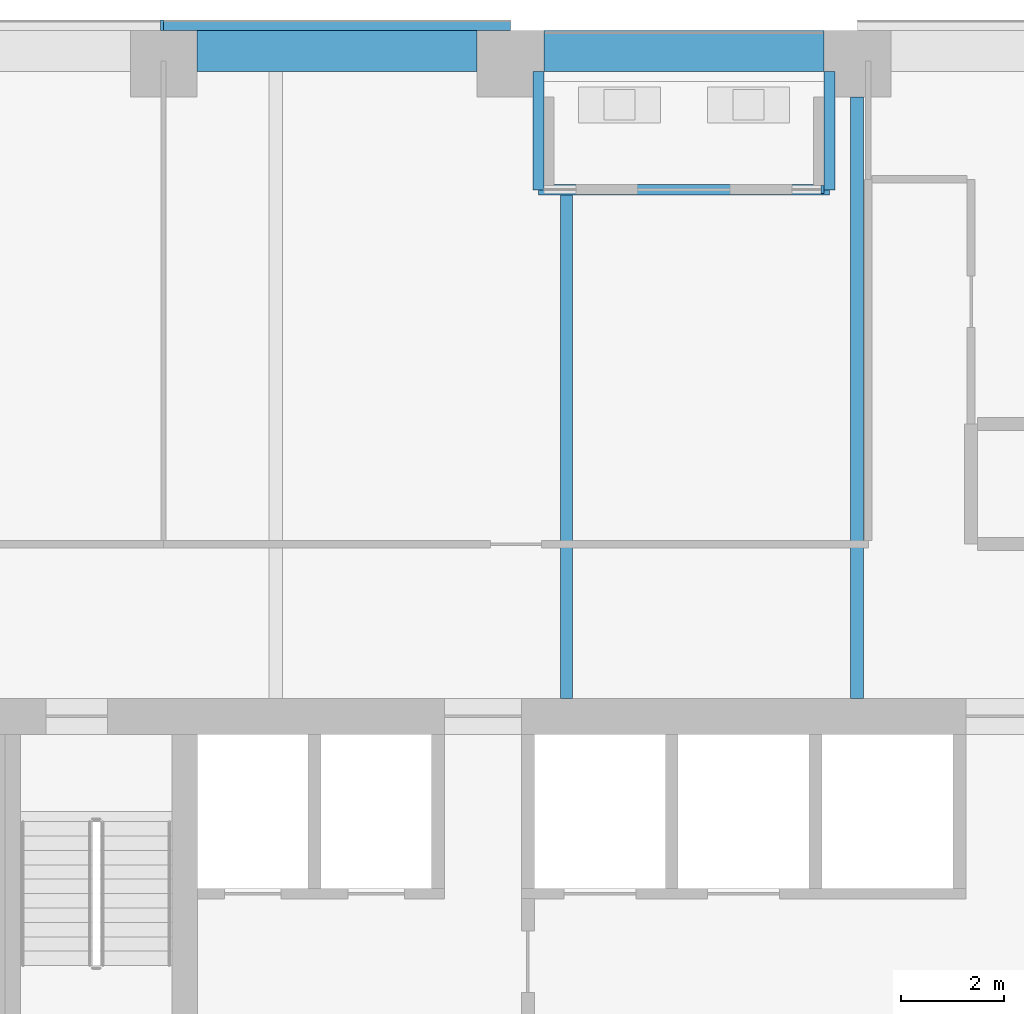
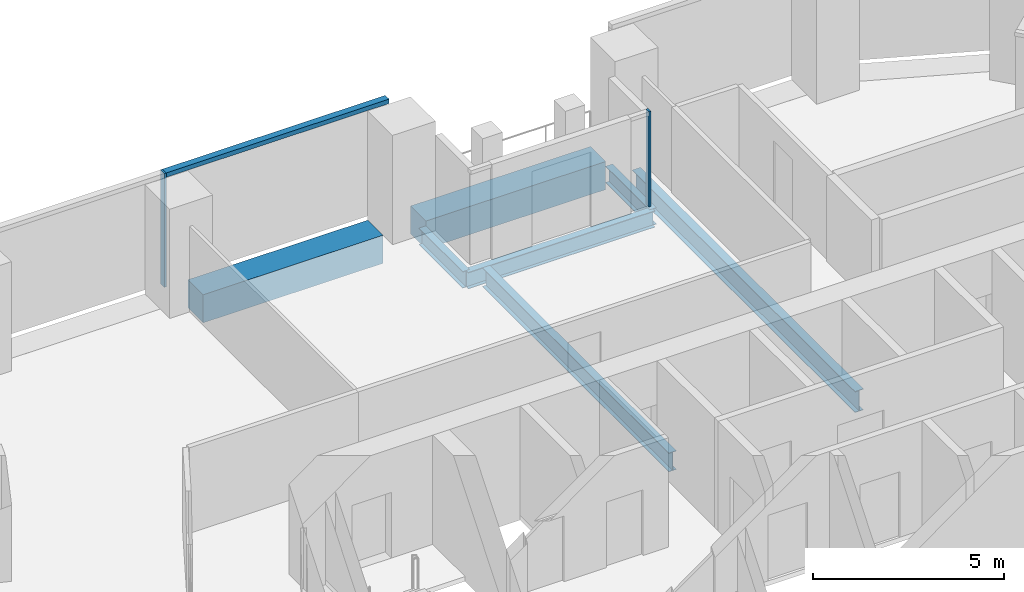
# One storey, part 8 of 25: 7 beams, 3 members, 2 elements without a shape of their own.
"""IFC4 building model written with IfcOpenShell, lengths in metres."""

from ifc_helpers import new_model, si_unit, direction, frame, origin, origin_2d, place, context, subcontext, project, spatial, rectangle, i_section, extrude, material, layer, layer_set, material_profile, profile_set, type_object, element, aggregate, save


model = new_model("IFC4")

# Units and contexts
model_context = context("Model", 3, precision=1e-05, world=origin(), true_north=direction((0.0, 1.0)))
body_context = subcontext(model_context, "Body", "Model", "MODEL_VIEW")
ifc_project = project(units=[si_unit("LENGTHUNIT", "METRE"), si_unit("AREAUNIT", "SQUARE_METRE"), si_unit("VOLUMEUNIT", "CUBIC_METRE"), si_unit("PLANEANGLEUNIT", "RADIAN"), si_unit("MASSUNIT", "GRAM", prefix="KILO")], contexts=[model_context])

# Site, building, storey
site_placement = place(None, origin())
site = spatial("IfcSite", under=ifc_project, at=site_placement, CompositionType="ELEMENT")
building_placement = place(site_placement, origin())
building = spatial("IfcBuilding", under=site, at=building_placement, Name="Isthmus Gate Tower", CompositionType="ELEMENT")
storey_placement = place(building_placement, frame((0.0, 0.0, 174.449951171875)))
storey = spatial("IfcBuildingStorey", under=building, at=storey_placement, Name="L43", CompositionType="ELEMENT", Elevation=174.449951171875)

# Curtain wall, members
ifc_material_1 = material(Name="Aluminium, pale champagne anodised", Category="aluminium")
ifc_layer_1 = layer(ifc_material_1, 0.199951171875)
ifc_layer_set_1 = layer_set([ifc_layer_1], Name="CW-1 UNITISED CURTAIN WALL 200 DEEP")
curtain_wall_type_1 = type_object("IfcCurtainWallType", Name="CW-1 UNITISED CURTAIN WALL 200 DEEP", PredefinedType="NOTDEFINED", material=ifc_layer_set_1)
curtain_wall_1_placement = place(storey_placement, origin())
curtain_wall_1 = element("IfcCurtainWall", 1, at=curtain_wall_1_placement, inside=storey, type_object=curtain_wall_type_1, Name="CW-1 N L43", PredefinedType="NOTDEFINED")
ifc_material_2 = material(Name="Aluminium, pale champagne anodised", Category="aluminium")
ifc_material_profile_1 = material_profile(ifc_material_2, rectangle(XDim=0.06005859375, YDim=0.199951171875, at=origin_2d()), Name="60x200")
ifc_profile_set_1 = profile_set([ifc_material_profile_1], Name="Aluminium, pale champagne anodised")
member_type_1 = type_object("IfcMemberType", Name="CW-1 MULLION 60 X 200", PredefinedType="MULLION", material=ifc_profile_set_1)
member_1_placement = place(storey_placement, frame((-11.241943359375, 28.10009765625, 0.0), z_axis=(0.0, 0.0, 1.0), x_axis=(-1.0, 0.0, 0.0)))
member_1 = element("IfcMember", 2, at=member_1_placement, type_object=member_type_1, Name="CW-1 mullion", PredefinedType="MULLION", context=body_context, shape_type="SweptSolid", body=[
    extrude(rectangle(XDim=0.06005859375, YDim=0.199951171875, at=origin_2d()), origin(), (0.0, 0.0, 1.0), 3.650146484375),
])
ifc_material_3 = material(Name="Aluminium, pale champagne anodised", Category="aluminium")
ifc_material_profile_2 = material_profile(ifc_material_3, rectangle(XDim=0.199951171875, YDim=0.139892578125, at=origin_2d()), Name="200x140")
ifc_profile_set_2 = profile_set([ifc_material_profile_2], Name="Aluminium, pale champagne anodised")
member_type_2 = type_object("IfcMemberType", Name="CW-1 TRANSOM 200 X 140", PredefinedType="USERDEFINED", material=ifc_profile_set_2)
member_2_placement = place(storey_placement, frame((-4.461669921875, 28.10009765625, 3.580078125), z_axis=(-1.0, 0.0, 0.0), x_axis=(0.0, -1.0, 0.0)))
member_2 = element("IfcMember", 3, at=member_2_placement, type_object=member_type_2, Name="CW-1 transom", ObjectType="TRANSOM", PredefinedType="USERDEFINED", context=body_context, shape_type="SweptSolid", body=[
    extrude(rectangle(XDim=0.199951171875, YDim=0.139892578125, at=origin_2d()), origin(), (0.0, 0.0, 1.0), 6.750244140625),
])
aggregate(curtain_wall_1, [member_2, member_1])

# Curtain wall, member
ifc_material_4 = material(Name="Aluminium, pale champagne anodised", Category="aluminium")
ifc_layer_2 = layer(ifc_material_4, 0.14990234375)
ifc_layer_set_2 = layer_set([ifc_layer_2], Name="CW-6 LOGGIA BACK WALL GLAZING 150 DEEP")
curtain_wall_type_2 = type_object("IfcCurtainWallType", Name="CW-6 LOGGIA BACK WALL GLAZING 150 DEEP", PredefinedType="NOTDEFINED", material=ifc_layer_set_2)
curtain_wall_2_placement = place(storey_placement, origin())
curtain_wall_2 = element("IfcCurtainWall", 4, at=curtain_wall_2_placement, inside=storey, type_object=curtain_wall_type_2, Name="CW-6 N L43", PredefinedType="NOTDEFINED")
ifc_material_5 = material(Name="Aluminium, pale champagne anodised", Category="aluminium")
ifc_material_profile_3 = material_profile(ifc_material_5, rectangle(XDim=0.06005859375, YDim=0.14990234375, at=origin_2d()), Name="60x150")
ifc_profile_set_3 = profile_set([ifc_material_profile_3], Name="Aluminium, pale champagne anodised")
member_type_3 = type_object("IfcMemberType", Name="CW-6 MULLION 60 X 150", PredefinedType="MULLION", material=ifc_profile_set_3)
member_3_placement = place(storey_placement, frame((1.6083984375, 24.89990234375, 0.0), z_axis=(0.0, 0.0, 1.0), x_axis=(-1.0, 0.0, 0.0)))
member_3 = element("IfcMember", 5, at=member_3_placement, type_object=member_type_3, Name="CW-6 mullion", PredefinedType="MULLION", context=body_context, shape_type="SweptSolid", body=[
    extrude(rectangle(XDim=0.06005859375, YDim=0.14990234375, at=origin_2d()), origin(), (0.0, 0.0, 1.0), 3.050048828125),
])
aggregate(curtain_wall_2, [member_3])

# Beams
ifc_material_6 = material(Name="Concrete f'c 60 MPa", Category="concrete")
ifc_material_profile_4 = material_profile(ifc_material_6, rectangle(XDim=0.800048828125, YDim=0.89990234375, at=origin_2d()), Name="RC 800X900")
ifc_profile_set_4 = profile_set([ifc_material_profile_4], Name="Concrete f'c 60 MPa")
beam_type_1 = type_object("IfcBeamType", Name="RC SPANDREL 800 X 900", PredefinedType="SPANDREL", material=ifc_profile_set_4)
beam_1_placement = place(storey_placement, frame((-10.561767578125, 27.60009765625, -0.449951171875), z_axis=(1.0, 0.0, 0.0), x_axis=(0.0, 1.0, 0.0)))
element("IfcBeam", 6, at=beam_1_placement, inside=storey, type_object=beam_type_1, Name="str-spandrel-L43-27", PredefinedType="SPANDREL", context=body_context, shape_type="SweptSolid", body=[
    extrude(rectangle(XDim=0.800048828125, YDim=0.89990234375, at=origin_2d()), origin(), (0.0, 0.0, 1.0), 5.449951171875),
])
beam_2_placement = place(storey_placement, frame((-3.811767578125, 27.60009765625, -0.449951171875), z_axis=(1.0, 0.0, 0.0), x_axis=(0.0, 1.0, 0.0)))
element("IfcBeam", 7, at=beam_2_placement, inside=storey, type_object=beam_type_1, Name="str-spandrel-L43-28", PredefinedType="SPANDREL", context=body_context, shape_type="SweptSolid", body=[
    extrude(rectangle(XDim=0.800048828125, YDim=0.89990234375, at=origin_2d()), origin(), (0.0, 0.0, 1.0), 5.4501953125),
])
ifc_material_7 = material(Name="Structural steel ASTM A992 Gr 50", Category="steel")
ifc_material_profile_5 = material_profile(ifc_material_7, i_section(OverallWidth=0.228515625, OverallDepth=0.603271484375, WebThickness=0.010986328125, FlangeThickness=0.014404296875, at=origin_2d()), Name="W24X68")
ifc_profile_set_5 = profile_set([ifc_material_profile_5], Name="Structural steel ASTM A992 Gr 50")
beam_type_2 = type_object("IfcBeamType", Name="STEEL FLOOR BEAM W24X68", PredefinedType="JOIST", material=ifc_profile_set_5)
beam_3_placement = place(storey_placement, frame((-3.37451171875, 15.0, -0.45166015625), z_axis=(0.0, 1.0, 0.0), x_axis=(-1.0, 0.0, 0.0)))
element("IfcBeam", 8, at=beam_3_placement, inside=storey, type_object=beam_type_2, Name="str-beam-L43-07-03", PredefinedType="JOIST", context=body_context, shape_type="SweptSolid", body=[
    extrude(i_section(OverallWidth=0.228515625, OverallDepth=0.603271484375, WebThickness=0.010986328125, FlangeThickness=0.014404296875, at=origin_2d()), origin(), (0.0, 0.0, 1.0), 9.79052734375),
])
ifc_material_8 = material(Name="Structural steel ASTM A992 Gr 50", Category="steel")
ifc_material_profile_6 = material_profile(ifc_material_8, i_section(OverallWidth=0.25390625, OverallDepth=0.679443359375, WebThickness=0.010986328125, FlangeThickness=0.015869140625, at=origin_2d()), Name="W27X84")
ifc_profile_set_6 = profile_set([ifc_material_profile_6], Name="Structural steel ASTM A992 Gr 50")
beam_type_3 = type_object("IfcBeamType", Name="STEEL FLOOR BEAM W27X84", PredefinedType="JOIST", material=ifc_profile_set_6)
beam_4_placement = place(storey_placement, frame((2.2783203125, 15.0, -0.48974609375), z_axis=(0.0, 1.0, 0.0), x_axis=(-1.0, 0.0, 0.0)))
element("IfcBeam", 9, at=beam_4_placement, inside=storey, type_object=beam_type_3, Name="str-beam-L43-07-04", PredefinedType="JOIST", context=body_context, shape_type="SweptSolid", body=[
    extrude(i_section(OverallWidth=0.25390625, OverallDepth=0.679443359375, WebThickness=0.010986328125, FlangeThickness=0.015869140625, at=origin_2d()), origin(), (0.0, 0.0, 1.0), 11.699951171875),
])
ifc_material_9 = material(Name="Structural steel ASTM A992 Gr 50", Category="steel")
ifc_material_profile_7 = material_profile(ifc_material_9, i_section(OverallWidth=0.20947265625, OverallDepth=0.533447265625, WebThickness=0.009521484375, FlangeThickness=0.015869140625, at=origin_2d()), Name="W21X62")
ifc_profile_set_7 = profile_set([ifc_material_profile_7], Name="Structural steel ASTM A992 Gr 50")
beam_type_4 = type_object("IfcBeamType", Name="STEEL TRIMMER W21X62", PredefinedType="BEAM", material=ifc_profile_set_7)
beam_5_placement = place(storey_placement, frame((1.7431640625, 24.895263671875, -0.416748046875), z_axis=(-1.0, 0.0, 0.0), x_axis=(0.0, -1.0, 0.0)))
element("IfcBeam", 10, at=beam_5_placement, inside=storey, type_object=beam_type_4, Name="str-loggiatrim-L43-01-B", PredefinedType="BEAM", context=body_context, shape_type="SweptSolid", body=[
    extrude(i_section(OverallWidth=0.20947265625, OverallDepth=0.533447265625, WebThickness=0.009521484375, FlangeThickness=0.015869140625, at=origin_2d()), origin(), (0.0, 0.0, 1.0), 5.65966796875),
])
for number, where, z_axis, x_axis, name in (
    (11, (1.7431640625, 27.199951171875, -0.416748046875), (0.0, -1.0, 0.0), (1.0, 0.0, 0.0), "str-loggiatrim-L43-01-A"),
    (12, (-3.91650390625, 27.199951171875, -0.416748046875), (0.0, -1.0, 0.0), (1.0, 0.0, 0.0), "str-loggiatrim-L43-01-C"),
):
    element("IfcBeam", number, at=place(storey_placement, frame(where, z_axis=z_axis, x_axis=x_axis)), inside=storey, type_object=beam_type_4, Name=name, PredefinedType="BEAM", context=body_context, shape_type="SweptSolid", body=[
        extrude(i_section(OverallWidth=0.20947265625, OverallDepth=0.533447265625, WebThickness=0.009521484375, FlangeThickness=0.015869140625, at=origin_2d()), origin(), (0.0, 0.0, 1.0), 2.3046875),
    ])

save(model, "model.ifc")
